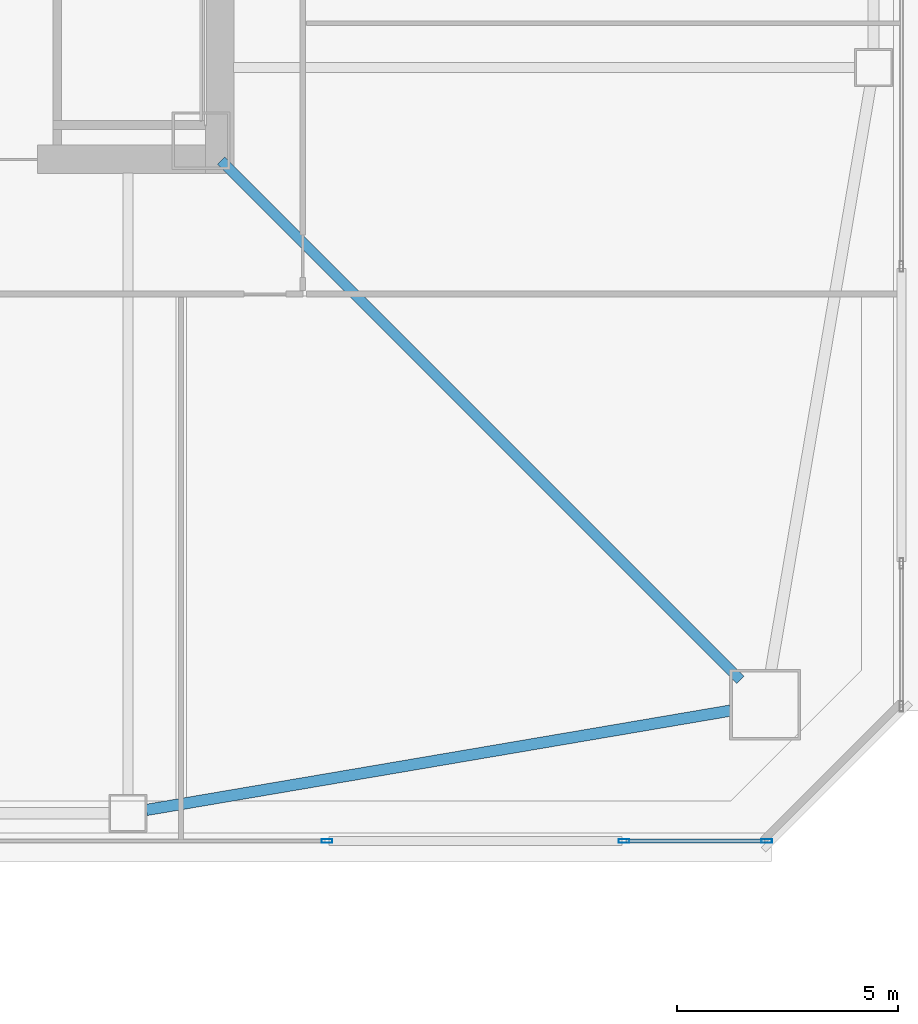
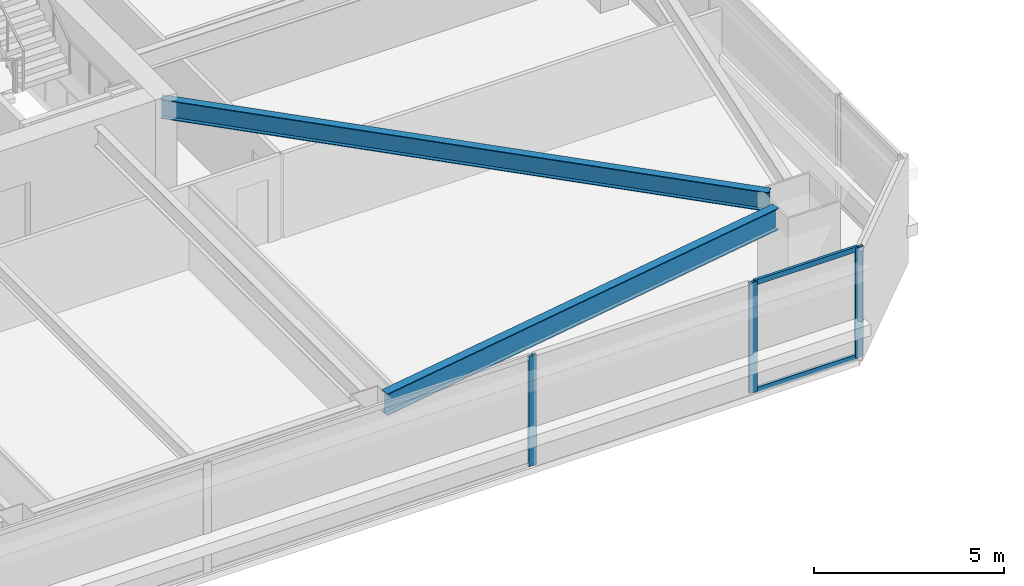
# One storey, part 9 of 51: 5 members, 2 beams, 2 elements without a shape of their own.
"""IFC4 building model written with IfcOpenShell, lengths in metres."""

from ifc_helpers import new_model, si_unit, direction, frame, origin, origin_2d, place, context, subcontext, project, spatial, hollow_rectangle, i_section, extrude, material, material_profile, profile_set, type_object, element, aggregate, save


model = new_model("IFC4")

# Units and contexts
model_context = context("Model", 3, precision=1e-05, world=origin(), true_north=direction((0.0, 1.0)))
body_context = subcontext(model_context, "Body", "Model", "MODEL_VIEW")
ifc_project = project(units=[si_unit("LENGTHUNIT", "METRE"), si_unit("AREAUNIT", "SQUARE_METRE"), si_unit("VOLUMEUNIT", "CUBIC_METRE"), si_unit("PLANEANGLEUNIT", "RADIAN"), si_unit("MASSUNIT", "GRAM", prefix="KILO")], contexts=[model_context])

# Site, building, storey
site_placement = place(None, origin())
site = spatial("IfcSite", under=ifc_project, at=site_placement, CompositionType="ELEMENT")
building_placement = place(site_placement, origin())
building = spatial("IfcBuilding", under=site, at=building_placement, Name="Tashvorn Skyway Center", CompositionType="ELEMENT")
storey_placement = place(building_placement, frame((0.0, 0.0, 49.449951171875)))
storey = spatial("IfcBuildingStorey", under=building, at=storey_placement, Name="L12", CompositionType="ELEMENT", Elevation=49.449951171875)

# Beams
ifc_material_1 = material(Name="Steel ASTM A992 Grade 50", Category="steel")
ifc_material_profile_1 = material_profile(ifc_material_1, i_section(OverallWidth=0.22998046875, OverallDepth=0.616943359375, WebThickness=0.01318359375, FlangeThickness=0.022216796875, at=origin_2d()), Name="W24X94")
ifc_profile_set_1 = profile_set([ifc_material_profile_1], Name="Steel ASTM A992 Grade 50")
beam_type_1 = type_object("IfcBeamType", Name="BM-BEAM-W24X94", PredefinedType="BEAM", material=ifc_profile_set_1)
beam_1_placement = place(storey_placement, frame((61.23779296875, 12.76220703125, 3.04150390625), z_axis=(-0.707106781187, 0.707106781187, 0.0), x_axis=(-0.707106781187, -0.707106781187, 0.0)))
element("IfcBeam", 1, at=beam_1_placement, inside=storey, type_object=beam_type_1, Name="Tower 1 L12 Primary Floor Girder MC-SE", PredefinedType="BEAM", context=body_context, shape_type="SweptSolid", body=[
    extrude(i_section(OverallWidth=0.22998046875, OverallDepth=0.616943359375, WebThickness=0.01318359375, FlangeThickness=0.022216796875, at=origin_2d()), origin(), (0.0, 0.0, 1.0), 16.591064453125),
])
ifc_material_profile_2 = material_profile(ifc_material_1, i_section(OverallWidth=0.256103515625, OverallDepth=0.693115234375, WebThickness=0.014404296875, FlangeThickness=0.023681640625, at=origin_2d()), Name="W27X114")
ifc_profile_set_2 = profile_set([ifc_material_profile_2], Name="Steel ASTM A992 Grade 50")
beam_type_2 = type_object("IfcBeamType", Name="BM-SPANDREL-W27X114", PredefinedType="SPANDREL", material=ifc_profile_set_2)
beam_2_placement = place(storey_placement, frame((47.81396484375, 9.820556640625, 3.003662109375), z_axis=(0.985835025551, 0.16771792509, 0.0), x_axis=(-0.16771792509, 0.985835025551, 0.0)))
element("IfcBeam", 2, at=beam_2_placement, inside=storey, type_object=beam_type_2, Name="Tower 1 L12 Spandrel Beam 03", PredefinedType="SPANDREL", context=body_context, shape_type="SweptSolid", body=[
    extrude(i_section(OverallWidth=0.256103515625, OverallDepth=0.693115234375, WebThickness=0.014404296875, FlangeThickness=0.023681640625, at=origin_2d()), origin(), (0.0, 0.0, 1.0), 13.39208984375),
])

# Curtain wall, members
ifc_material_2 = material(Name="Thermally broken bronze-anodized aluminium 6063-T6", Category="aluminium")
curtain_wall_type = type_object("IfcCurtainWallType", Name="CW-CW-Z1", PredefinedType="NOTDEFINED", material=ifc_material_2)
curtain_wall_1_placement = place(storey_placement, origin())
curtain_wall_1 = element("IfcCurtainWall", 3, at=curtain_wall_1_placement, inside=storey, type_object=curtain_wall_type, Name="Tower 1 L12 South Unitised Curtain Wall Glazing Group 1", PredefinedType="NOTDEFINED")
ifc_material_profile_3 = material_profile(ifc_material_2, hollow_rectangle(XDim=0.0849609375, YDim=0.239990234375, WallThickness=0.0048828125, at=origin_2d()), Name="ALU-MULL-85x240")
ifc_profile_set_3 = profile_set([ifc_material_profile_3], Name="Thermally broken bronze-anodized aluminium 6063-T6")
member_type_1 = type_object("IfcMemberType", Name="CWM-CW-Z1", PredefinedType="MULLION", material=ifc_profile_set_3)
member_1_placement = place(storey_placement, frame((61.83740234375, 9.1201171875, 0.0), z_axis=(0.0, 0.0, 1.0), x_axis=(0.0, -1.0, 0.0)))
member_1 = element("IfcMember", 4, at=member_1_placement, type_object=member_type_1, Name="CW-Z1 mullion 1", PredefinedType="MULLION", context=body_context, shape_type="SweptSolid", body=[
    extrude(hollow_rectangle(XDim=0.0849609375, YDim=0.239990234375, WallThickness=0.0048828125, at=origin_2d()), origin(), (0.0, 0.0, 1.0), 3.550048828125),
])
member_2_placement = place(storey_placement, frame((58.609130859375, 9.1201171875, 0.0), z_axis=(0.0, 0.0, 1.0), x_axis=(0.0, -1.0, 0.0)))
member_2 = element("IfcMember", 5, at=member_2_placement, type_object=member_type_1, Name="CW-Z1 mullion 2", PredefinedType="MULLION", context=body_context, shape_type="SweptSolid", body=[
    extrude(hollow_rectangle(XDim=0.0849609375, YDim=0.239990234375, WallThickness=0.0048828125, at=origin_2d()), origin(), (0.0, 0.0, 1.0), 3.550048828125),
])

# Curtain wall, member
curtain_wall_2_placement = place(storey_placement, origin())
curtain_wall_2 = element("IfcCurtainWall", 6, at=curtain_wall_2_placement, inside=storey, type_object=curtain_wall_type, Name="Tower 1 L12 South Unitised Curtain Wall Glazing Group 2", PredefinedType="NOTDEFINED")
member_3_placement = place(storey_placement, frame((51.8974609375, 9.1201171875, 0.0), z_axis=(0.0, 0.0, 1.0), x_axis=(0.0, -1.0, 0.0)))
member_3 = element("IfcMember", 7, at=member_3_placement, type_object=member_type_1, Name="CW-Z1 mullion 1", PredefinedType="MULLION", context=body_context, shape_type="SweptSolid", body=[
    extrude(hollow_rectangle(XDim=0.0849609375, YDim=0.239990234375, WallThickness=0.0048828125, at=origin_2d()), origin(), (0.0, 0.0, 1.0), 3.550048828125),
])
aggregate(curtain_wall_2, [member_3])

# Member
ifc_material_profile_4 = material_profile(ifc_material_2, hollow_rectangle(XDim=0.0849609375, YDim=0.1650390625, WallThickness=0.0048828125, at=origin_2d()), Name="ALU-TRAN-85x165")
ifc_profile_set_4 = profile_set([ifc_material_profile_4], Name="Thermally broken bronze-anodized aluminium 6063-T6")
member_type_2 = type_object("IfcMemberType", Name="CWT-CW-Z1", PredefinedType="USERDEFINED", material=ifc_profile_set_4)
member_4_placement = place(storey_placement, frame((61.794921875, 9.1201171875, 0.04248046875), z_axis=(-1.0, 0.0, 0.0), x_axis=(0.0, -1.0, 0.0)))
member_4 = element("IfcMember", 8, at=member_4_placement, type_object=member_type_2, Name="CW-Z1 transom 1.1", ObjectType="TRANSOM", PredefinedType="USERDEFINED", context=body_context, shape_type="SweptSolid", body=[
    extrude(hollow_rectangle(XDim=0.0849609375, YDim=0.1650390625, WallThickness=0.0048828125, at=origin_2d()), origin(), (0.0, 0.0, 1.0), 3.143310546875),
])

member_5_placement = place(storey_placement, frame((61.794921875, 9.1201171875, 3.507568359375), z_axis=(-1.0, 0.0, 0.0), x_axis=(0.0, -1.0, 0.0)))
member_5 = element("IfcMember", 9, at=member_5_placement, type_object=member_type_2, Name="CW-Z1 transom 1.2", ObjectType="TRANSOM", PredefinedType="USERDEFINED", context=body_context, shape_type="SweptSolid", body=[
    extrude(hollow_rectangle(XDim=0.0849609375, YDim=0.1650390625, WallThickness=0.0048828125, at=origin_2d()), origin(), (0.0, 0.0, 1.0), 3.143310546875),
])

aggregate(curtain_wall_1, [member_1, member_2, member_4, member_5])

save(model, "model.ifc")
